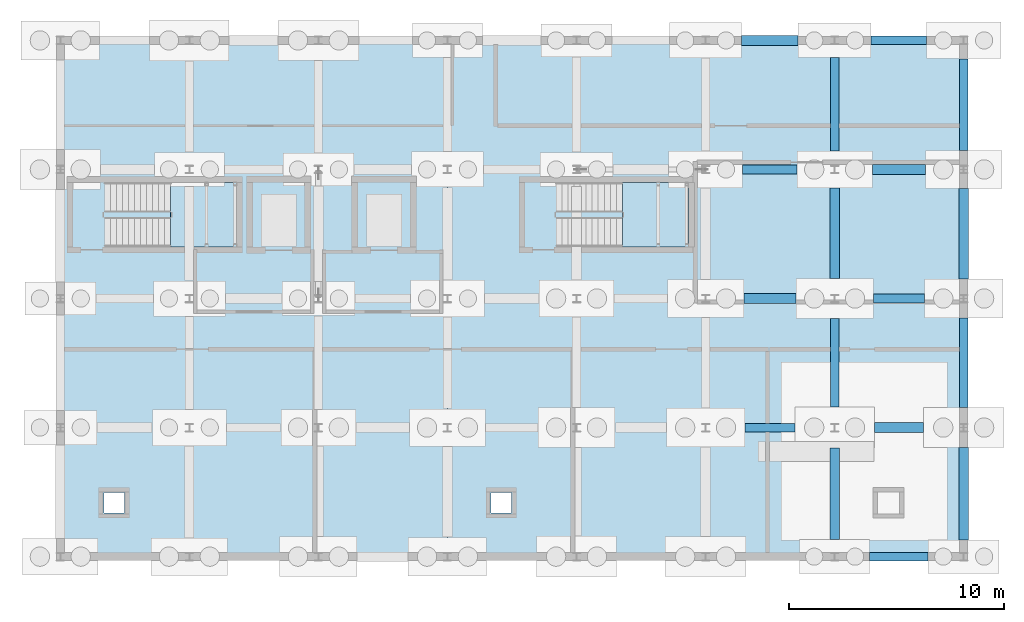
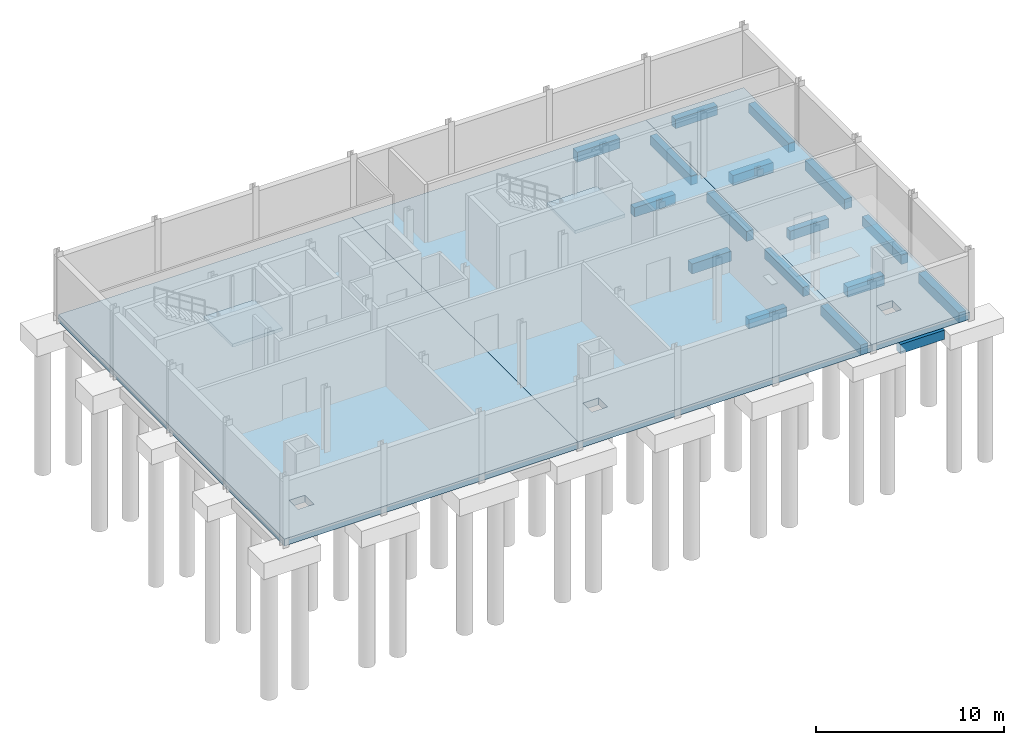
# One storey, part 7 of 12: 17 beams, 5 slabs, 2 elements without a shape of their own.
"""IFC4 building model written with IfcOpenShell, lengths in metres."""

from ifc_helpers import new_model, si_unit, direction, frame, origin, origin_2d, place, context, subcontext, project, spatial, polyline, rectangle, outline, extrude, material, layer, layer_set, material_profile, profile_set, type_object, element, aggregate, save


model = new_model("IFC4")

# Units and contexts
model_context = context("Model", 3, precision=1e-05, world=origin(), true_north=direction((0.0, 1.0)))
body_context = subcontext(model_context, "Body", "Model", "MODEL_VIEW")
ifc_project = project(units=[si_unit("LENGTHUNIT", "METRE"), si_unit("AREAUNIT", "SQUARE_METRE"), si_unit("VOLUMEUNIT", "CUBIC_METRE"), si_unit("PLANEANGLEUNIT", "RADIAN"), si_unit("MASSUNIT", "GRAM", prefix="KILO")], contexts=[model_context])

# Site, building, storey
site_placement = place(None, origin())
site = spatial("IfcSite", under=ifc_project, at=site_placement, CompositionType="ELEMENT")
building_placement = place(site_placement, origin())
building = spatial("IfcBuilding", under=site, at=building_placement, Name="Siltcreek Boulevard Central Fire Station", CompositionType="ELEMENT")
storey_placement = place(building_placement, frame((0.0, 0.0, -4.199951171875)))
storey = spatial("IfcBuildingStorey", under=building, at=storey_placement, Name="B01", CompositionType="ELEMENT", Elevation=-4.199951171875)

# Beams
ifc_material_1 = material(Name="Concrete C35/45", Category="concrete")
ifc_material_profile_1 = material_profile(ifc_material_1, rectangle(XDim=0.39990234375, YDim=0.60009765625, at=origin_2d()), Name="RC400X600")
ifc_profile_set_1 = profile_set([ifc_material_profile_1], Name="Concrete C35/45")
beam_type_1 = type_object("IfcBeamType", Name="GB_RC400X600", PredefinedType="USERDEFINED", material=ifc_profile_set_1)
beam_1_placement = place(storey_placement, frame((161.826904296875, 88.199951171875, -0.75), z_axis=(1.0, 0.0, 0.0), x_axis=(0.0, 1.0, 0.0)))
element("IfcBeam", 1, at=beam_1_placement, inside=storey, type_object=beam_type_1, Name="Reinforced concrete tie grade beam GB-237", ObjectType="GRADE BEAM", PredefinedType="USERDEFINED", context=body_context, shape_type="SweptSolid", body=[
    extrude(rectangle(XDim=0.39990234375, YDim=0.60009765625, at=origin_2d()), origin(), (0.0, 0.0, 1.0), 2.72119140625),
])
beam_2_placement = place(storey_placement, frame((156.027099609375, 94.199951171875, -0.75), z_axis=(1.0, 0.0, 0.0), x_axis=(0.0, 1.0, 0.0)))
element("IfcBeam", 2, at=beam_2_placement, inside=storey, type_object=beam_type_1, Name="Reinforced concrete tie grade beam GB-243", ObjectType="GRADE BEAM", PredefinedType="USERDEFINED", context=body_context, shape_type="SweptSolid", body=[
    extrude(rectangle(XDim=0.39990234375, YDim=0.60009765625, at=origin_2d()), origin(), (0.0, 0.0, 1.0), 2.32080078125),
])
beam_3_placement = place(storey_placement, frame((162.001953125, 100.199951171875, -0.75), z_axis=(1.0, 0.0, 0.0), x_axis=(0.0, 1.0, 0.0)))
element("IfcBeam", 3, at=beam_3_placement, inside=storey, type_object=beam_type_1, Name="Reinforced concrete tie grade beam GB-251", ObjectType="GRADE BEAM", PredefinedType="USERDEFINED", context=body_context, shape_type="SweptSolid", body=[
    extrude(rectangle(XDim=0.39990234375, YDim=0.60009765625, at=origin_2d()), origin(), (0.0, 0.0, 1.0), 2.37109375),
])
beam_4_placement = place(storey_placement, frame((155.927001953125, 106.199951171875, -0.75), z_axis=(1.0, 0.0, 0.0), x_axis=(0.0, 1.0, 0.0)))
element("IfcBeam", 4, at=beam_4_placement, inside=storey, type_object=beam_type_1, Name="Reinforced concrete tie grade beam GB-257", ObjectType="GRADE BEAM", PredefinedType="USERDEFINED", context=body_context, shape_type="SweptSolid", body=[
    extrude(rectangle(XDim=0.39990234375, YDim=0.60009765625, at=origin_2d()), origin(), (0.0, 0.0, 1.0), 2.52099609375),
])
beam_5_placement = place(storey_placement, frame((161.902099609375, 112.199951171875, -0.75), z_axis=(1.0, 0.0, 0.0), x_axis=(0.0, 1.0, 0.0)))
element("IfcBeam", 5, at=beam_5_placement, inside=storey, type_object=beam_type_1, Name="Reinforced concrete tie grade beam GB-265", ObjectType="GRADE BEAM", PredefinedType="USERDEFINED", context=body_context, shape_type="SweptSolid", body=[
    extrude(rectangle(XDim=0.39990234375, YDim=0.60009765625, at=origin_2d()), origin(), (0.0, 0.0, 1.0), 2.57080078125),
])
beam_6_placement = place(storey_placement, frame((160.199951171875, 95.152099609375, -0.75), z_axis=(0.0, 1.0, 0.0), x_axis=(-1.0, 0.0, 0.0)))
element("IfcBeam", 6, at=beam_6_placement, inside=storey, type_object=beam_type_1, Name="Reinforced concrete tie grade beam GB-291", ObjectType="GRADE BEAM", PredefinedType="USERDEFINED", context=body_context, shape_type="SweptSolid", body=[
    extrude(rectangle(XDim=0.39990234375, YDim=0.60009765625, at=origin_2d()), origin(), (0.0, 0.0, 1.0), 4.120849609375),
])
beam_7_placement = place(storey_placement, frame((160.199951171875, 107.052001953125, -0.75), z_axis=(0.0, 1.0, 0.0), x_axis=(-1.0, 0.0, 0.0)))
element("IfcBeam", 7, at=beam_7_placement, inside=storey, type_object=beam_type_1, Name="Reinforced concrete tie grade beam GB-293", ObjectType="GRADE BEAM", PredefinedType="USERDEFINED", context=body_context, shape_type="SweptSolid", body=[
    extrude(rectangle(XDim=0.39990234375, YDim=0.60009765625, at=origin_2d()), origin(), (0.0, 0.0, 1.0), 4.345947265625),
])
beam_8_placement = place(storey_placement, frame((166.199951171875, 95.126953125, -0.75), z_axis=(0.0, 1.0, 0.0), x_axis=(-1.0, 0.0, 0.0)))
element("IfcBeam", 8, at=beam_8_placement, inside=storey, type_object=beam_type_1, Name="Reinforced concrete tie grade beam GB-295", ObjectType="GRADE BEAM", PredefinedType="USERDEFINED", context=body_context, shape_type="SweptSolid", body=[
    extrude(rectangle(XDim=0.39990234375, YDim=0.60009765625, at=origin_2d()), origin(), (0.0, 0.0, 1.0), 4.171142578125),
])
beam_9_placement = place(storey_placement, frame((166.199951171875, 107.076904296875, -0.75), z_axis=(0.0, 1.0, 0.0), x_axis=(-1.0, 0.0, 0.0)))
element("IfcBeam", 9, at=beam_9_placement, inside=storey, type_object=beam_type_1, Name="Reinforced concrete tie grade beam GB-297", ObjectType="GRADE BEAM", PredefinedType="USERDEFINED", context=body_context, shape_type="SweptSolid", body=[
    extrude(rectangle(XDim=0.39990234375, YDim=0.60009765625, at=origin_2d()), origin(), (0.0, 0.0, 1.0), 4.27099609375),
])
ifc_material_profile_2 = material_profile(ifc_material_1, rectangle(XDim=0.449951171875, YDim=0.64990234375, at=origin_2d()), Name="RC450X650")
ifc_profile_set_2 = profile_set([ifc_material_profile_2], Name="Concrete C35/45")
beam_type_2 = type_object("IfcBeamType", Name="GB_RC450X650", PredefinedType="USERDEFINED", material=ifc_profile_set_2)
beam_10_placement = place(storey_placement, frame((162.052001953125, 94.199951171875, -0.775146484375), z_axis=(1.0, 0.0, 0.0), x_axis=(0.0, 1.0, 0.0)))
element("IfcBeam", 10, at=beam_10_placement, inside=storey, type_object=beam_type_2, Name="Reinforced concrete tie grade beam GB-244", ObjectType="GRADE BEAM", PredefinedType="USERDEFINED", context=body_context, shape_type="SweptSolid", body=[
    extrude(rectangle(XDim=0.449951171875, YDim=0.64990234375, at=origin_2d()), origin(), (0.0, 0.0, 1.0), 2.27099609375),
])
beam_11_placement = place(storey_placement, frame((155.97705078125, 100.199951171875, -0.775146484375), z_axis=(1.0, 0.0, 0.0), x_axis=(0.0, 1.0, 0.0)))
element("IfcBeam", 11, at=beam_11_placement, inside=storey, type_object=beam_type_2, Name="Reinforced concrete tie grade beam GB-250", ObjectType="GRADE BEAM", PredefinedType="USERDEFINED", context=body_context, shape_type="SweptSolid", body=[
    extrude(rectangle(XDim=0.449951171875, YDim=0.64990234375, at=origin_2d()), origin(), (0.0, 0.0, 1.0), 2.4208984375),
])
beam_12_placement = place(storey_placement, frame((161.951904296875, 106.199951171875, -0.775146484375), z_axis=(1.0, 0.0, 0.0), x_axis=(0.0, 1.0, 0.0)))
element("IfcBeam", 12, at=beam_12_placement, inside=storey, type_object=beam_type_2, Name="Reinforced concrete tie grade beam GB-258", ObjectType="GRADE BEAM", PredefinedType="USERDEFINED", context=body_context, shape_type="SweptSolid", body=[
    extrude(rectangle(XDim=0.449951171875, YDim=0.64990234375, at=origin_2d()), origin(), (0.0, 0.0, 1.0), 2.47119140625),
])
beam_13_placement = place(storey_placement, frame((155.876953125, 112.199951171875, -0.775146484375), z_axis=(1.0, 0.0, 0.0), x_axis=(0.0, 1.0, 0.0)))
element("IfcBeam", 13, at=beam_13_placement, inside=storey, type_object=beam_type_2, Name="Reinforced concrete tie grade beam GB-264", ObjectType="GRADE BEAM", PredefinedType="USERDEFINED", context=body_context, shape_type="SweptSolid", body=[
    extrude(rectangle(XDim=0.449951171875, YDim=0.64990234375, at=origin_2d()), origin(), (0.0, 0.0, 1.0), 2.62109375),
])
beam_14_placement = place(storey_placement, frame((160.199951171875, 89.001953125, -0.775146484375), z_axis=(0.0, 1.0, 0.0), x_axis=(-1.0, 0.0, 0.0)))
element("IfcBeam", 14, at=beam_14_placement, inside=storey, type_object=beam_type_2, Name="Reinforced concrete tie grade beam GB-290", ObjectType="GRADE BEAM", PredefinedType="USERDEFINED", context=body_context, shape_type="SweptSolid", body=[
    extrude(rectangle(XDim=0.449951171875, YDim=0.64990234375, at=origin_2d()), origin(), (0.0, 0.0, 1.0), 4.24609375),
])
beam_15_placement = place(storey_placement, frame((160.199951171875, 101.126953125, -0.775146484375), z_axis=(0.0, 1.0, 0.0), x_axis=(-1.0, 0.0, 0.0)))
element("IfcBeam", 15, at=beam_15_placement, inside=storey, type_object=beam_type_2, Name="Reinforced concrete tie grade beam GB-292", ObjectType="GRADE BEAM", PredefinedType="USERDEFINED", context=body_context, shape_type="SweptSolid", body=[
    extrude(rectangle(XDim=0.449951171875, YDim=0.64990234375, at=origin_2d()), origin(), (0.0, 0.0, 1.0), 4.220947265625),
])
beam_16_placement = place(storey_placement, frame((166.199951171875, 88.97705078125, -0.775146484375), z_axis=(0.0, 1.0, 0.0), x_axis=(-1.0, 0.0, 0.0)))
element("IfcBeam", 16, at=beam_16_placement, inside=storey, type_object=beam_type_2, Name="Reinforced concrete tie grade beam GB-294", ObjectType="GRADE BEAM", PredefinedType="USERDEFINED", context=body_context, shape_type="SweptSolid", body=[
    extrude(rectangle(XDim=0.449951171875, YDim=0.64990234375, at=origin_2d()), origin(), (0.0, 0.0, 1.0), 4.2958984375),
])
beam_17_placement = place(storey_placement, frame((166.199951171875, 101.10205078125, -0.775146484375), z_axis=(0.0, 1.0, 0.0), x_axis=(-1.0, 0.0, 0.0)))
element("IfcBeam", 17, at=beam_17_placement, inside=storey, type_object=beam_type_2, Name="Reinforced concrete tie grade beam GB-296", ObjectType="GRADE BEAM", PredefinedType="USERDEFINED", context=body_context, shape_type="SweptSolid", body=[
    extrude(rectangle(XDim=0.449951171875, YDim=0.64990234375, at=origin_2d()), origin(), (0.0, 0.0, 1.0), 4.220947265625),
])

# Slabs
ifc_layer_1 = layer(ifc_material_1, 0.449951171875, Name="Concrete C35/45")
ifc_layer_set_1 = layer_set([ifc_layer_1], Name="Concrete C35/45")
slab_type_1 = type_object("IfcSlabType", Name="SL_BASE400", PredefinedType="BASESLAB", material=ifc_layer_set_1)
slab_1_placement = place(storey_placement, frame((0.0, 0.0, -0.449951171875)))
element("IfcSlab", 18, at=slab_1_placement, inside=storey, type_object=slab_type_1, Name="B01 V5 structural floor slab SL-001", PredefinedType="BASESLAB", context=body_context, shape_type="SweptSolid", body=[
    extrude(outline(polyline([(124.199951171875, 112.199951171875), (142.199951171875, 112.199951171875), (142.199951171875, 88.199951171875), (124.199951171875, 88.199951171875), (124.199951171875, 112.199951171875)]), holes=[polyline([(127.179931640625, 91.179931640625), (126.219970703125, 91.179931640625), (126.219970703125, 90.219970703125), (127.179931640625, 90.219970703125), (127.179931640625, 91.179931640625)])]), origin(), (0.0, 0.0, 1.0), 0.449951171875),
])
slab_2_placement = place(storey_placement, frame((0.0, 0.0, -0.449951171875)))
element("IfcSlab", 19, at=slab_2_placement, inside=storey, type_object=slab_type_1, Name="B01 V5 structural floor slab SL-002", PredefinedType="BASESLAB", context=body_context, shape_type="SweptSolid", body=[
    extrude(outline(polyline([(142.199951171875, 112.199951171875), (160.199951171875, 112.199951171875), (160.199951171875, 88.199951171875), (142.199951171875, 88.199951171875), (142.199951171875, 112.199951171875)]), holes=[polyline([(145.179931640625, 91.179931640625), (144.219970703125, 91.179931640625), (144.219970703125, 90.219970703125), (145.179931640625, 90.219970703125), (145.179931640625, 91.179931640625)])]), origin(), (0.0, 0.0, 1.0), 0.449951171875),
])
slab_3_placement = place(storey_placement, frame((0.0, 0.0, -0.449951171875)))
element("IfcSlab", 20, at=slab_3_placement, inside=storey, type_object=slab_type_1, Name="B01 V5 structural floor slab SL-003", PredefinedType="BASESLAB", context=body_context, shape_type="SweptSolid", body=[
    extrude(outline(polyline([(160.199951171875, 112.199951171875), (166.199951171875, 112.199951171875), (166.199951171875, 88.199951171875), (160.199951171875, 88.199951171875), (160.199951171875, 112.199951171875)]), holes=[polyline([(163.179931640625, 91.179931640625), (162.219970703125, 91.179931640625), (162.219970703125, 90.219970703125), (163.179931640625, 90.219970703125), (163.179931640625, 91.179931640625)])]), origin(), (0.0, 0.0, 1.0), 0.449951171875),
])

# Stair, slab
ifc_material_2 = material(Name="Precast concrete C40/50", Category="concrete")
stair_type = type_object("IfcStairType", Name="ST_DOG_H42", PredefinedType="HALF_TURN_STAIR", material=ifc_material_2)
stair_1_placement = place(storey_placement, origin())
stair_1 = element("IfcStair", 21, at=stair_1_placement, inside=storey, type_object=stair_type, Name="B01 Enclosed exit stairway ST-V5A", PredefinedType="HALF_TURN_STAIR")
ifc_layer_2 = layer(ifc_material_2, 0.199951171875, Name="Precast concrete C40/50")
ifc_layer_set_2 = layer_set([ifc_layer_2], Name="Precast concrete C40/50")
slab_type_2 = type_object("IfcSlabType", Name="SL_LAND200", PredefinedType="LANDING", material=ifc_layer_set_2)
slab_4_placement = place(storey_placement, frame((0.0, 0.0, 1.89990234375)))
slab_4 = element("IfcSlab", 22, at=slab_4_placement, type_object=slab_type_2, Name="ST-V5A landing 1", PredefinedType="LANDING", context=body_context, shape_type="SweptSolid", body=[
    extrude(outline(polyline([(129.330078125, 102.60009765625), (132.39990234375, 102.60009765625), (132.39990234375, 105.60009765625), (129.330078125, 105.60009765625), (129.330078125, 102.60009765625)])), origin(), (0.0, 0.0, 1.0), 0.199951171875),
])
aggregate(stair_1, [slab_4])

stair_2_placement = place(storey_placement, origin())
stair_2 = element("IfcStair", 23, at=stair_2_placement, inside=storey, type_object=stair_type, Name="B01 Enclosed exit stairway ST-V5B", PredefinedType="HALF_TURN_STAIR")
slab_5_placement = place(storey_placement, frame((0.0, 0.0, 1.89990234375)))
slab_5 = element("IfcSlab", 24, at=slab_5_placement, type_object=slab_type_2, Name="ST-V5B landing 1", PredefinedType="LANDING", context=body_context, shape_type="SweptSolid", body=[
    extrude(outline(polyline([(150.330078125, 102.60009765625), (153.39990234375, 102.60009765625), (153.39990234375, 105.60009765625), (150.330078125, 105.60009765625), (150.330078125, 102.60009765625)])), origin(), (0.0, 0.0, 1.0), 0.199951171875),
])
aggregate(stair_2, [slab_5])

save(model, "model.ifc")
